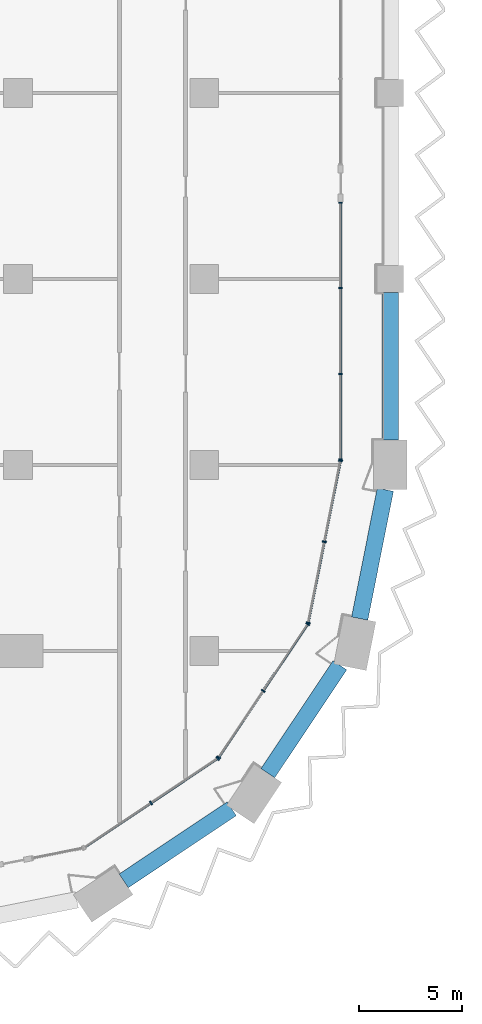
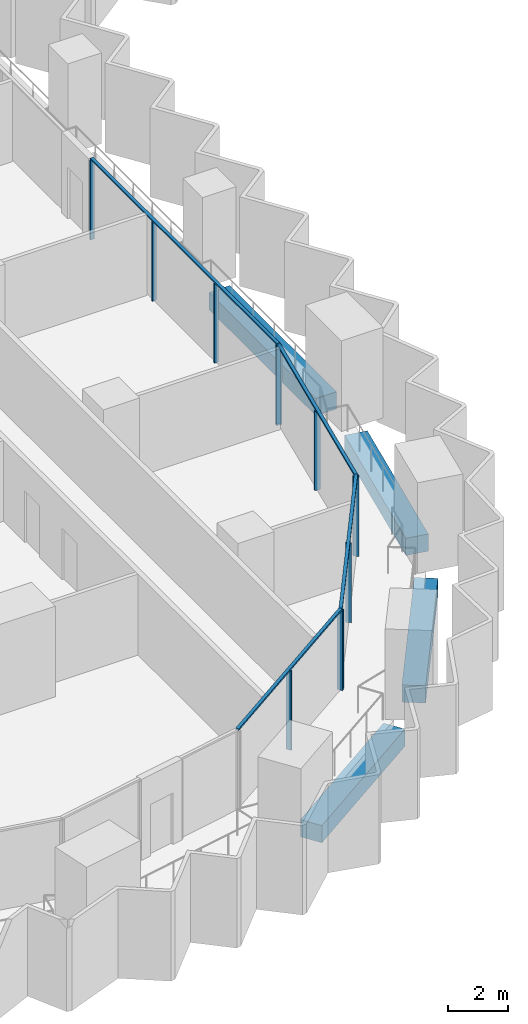
# One storey, part 3 of 28: 16 members, 4 beams, 4 elements without a shape of their own.
"""IFC4 building model written with IfcOpenShell, lengths in metres."""

from ifc_helpers import new_model, si_unit, direction, frame, origin, origin_2d, place, context, subcontext, project, spatial, rectangle, extrude, material, material_profile, profile_set, type_object, element, aggregate, save


model = new_model("IFC4")

# Units and contexts
model_context = context("Model", 3, precision=1e-05, world=origin(), true_north=direction((0.0, 1.0)))
body_context = subcontext(model_context, "Body", "Model", "MODEL_VIEW")
ifc_project = project(units=[si_unit("LENGTHUNIT", "METRE"), si_unit("AREAUNIT", "SQUARE_METRE"), si_unit("VOLUMEUNIT", "CUBIC_METRE"), si_unit("PLANEANGLEUNIT", "RADIAN"), si_unit("MASSUNIT", "GRAM", prefix="KILO")], contexts=[model_context])

# Site, building, storey
site_placement = place(None, origin())
site = spatial("IfcSite", under=ifc_project, at=site_placement, CompositionType="ELEMENT")
building_placement = place(site_placement, origin())
building = spatial("IfcBuilding", under=site, at=building_placement, Name="Hunhe Ridgeline Campus", CompositionType="ELEMENT")
storey_placement = place(building_placement, frame((0.0, 0.0, 43.199951171875)))
storey = spatial("IfcBuildingStorey", under=building, at=storey_placement, Name="L09", CompositionType="ELEMENT", Elevation=43.199951171875)

# Curtain wall, members
ifc_material_1 = material(Name="Aluminium 6063", Category="aluminium")
curtain_wall_type_1 = type_object("IfcCurtainWallType", Name="Curtain wall CW-1", PredefinedType="NOTDEFINED", material=ifc_material_1)
curtain_wall_1_placement = place(storey_placement, origin())
curtain_wall_1 = element("IfcCurtainWall", 1, at=curtain_wall_1_placement, inside=storey, type_object=curtain_wall_type_1, Name="Curtain wall 11", PredefinedType="NOTDEFINED")
ifc_material_profile_1 = material_profile(ifc_material_1, rectangle(XDim=0.159912109375, YDim=0.06005859375, at=origin_2d()))
ifc_profile_set_1 = profile_set([ifc_material_profile_1], Name="Aluminium 6063")
member_type_1 = type_object("IfcMemberType", Name="CW-1 aluminium mullion", PredefinedType="MULLION", material=ifc_profile_set_1)
member_1_placement = place(storey_placement, frame((42.59912109375, 27.266357421875, 0.0), z_axis=(0.0, 0.0, 1.0), x_axis=(-1.0, 1.60239e-07, 0.0)))
member_1 = element("IfcMember", 2, at=member_1_placement, type_object=member_type_1, Name="CW-1 mullion 1", PredefinedType="MULLION", context=body_context, shape_type="SweptSolid", body=[
    extrude(rectangle(XDim=0.159912109375, YDim=0.06005859375, at=origin_2d()), origin(), (0.0, 0.0, 1.0), 3.239990234375),
])
member_2_placement = place(storey_placement, frame((42.59912109375, 31.39697265625, 0.0), z_axis=(0.0, 0.0, 1.0), x_axis=(-1.0, 1.60239e-07, 0.0)))
member_2 = element("IfcMember", 3, at=member_2_placement, type_object=member_type_1, Name="CW-1 mullion 2", PredefinedType="MULLION", context=body_context, shape_type="SweptSolid", body=[
    extrude(rectangle(XDim=0.159912109375, YDim=0.06005859375, at=origin_2d()), origin(), (0.0, 0.0, 1.0), 3.239990234375),
])
member_3_placement = place(storey_placement, frame((42.59912109375, 35.5576171875, 0.0), z_axis=(0.0, 0.0, 1.0), x_axis=(-1.0, 1.60239e-07, 0.0)))
member_3 = element("IfcMember", 4, at=member_3_placement, type_object=member_type_1, Name="CW-1 mullion 3", PredefinedType="MULLION", context=body_context, shape_type="SweptSolid", body=[
    extrude(rectangle(XDim=0.159912109375, YDim=0.06005859375, at=origin_2d()), origin(), (0.0, 0.0, 1.0), 3.239990234375),
])
member_4_placement = place(storey_placement, frame((42.59912109375, 39.688232421875, 0.0), z_axis=(0.0, 0.0, 1.0), x_axis=(-1.0, 1.60239e-07, 0.0)))
member_4 = element("IfcMember", 5, at=member_4_placement, type_object=member_type_1, Name="CW-1 mullion 4", PredefinedType="MULLION", context=body_context, shape_type="SweptSolid", body=[
    extrude(rectangle(XDim=0.159912109375, YDim=0.06005859375, at=origin_2d()), origin(), (0.0, 0.0, 1.0), 3.239990234375),
])
ifc_material_profile_2 = material_profile(ifc_material_1, rectangle(XDim=0.1201171875, YDim=0.06005859375, at=origin_2d()))
ifc_profile_set_2 = profile_set([ifc_material_profile_2], Name="Aluminium 6063")
member_type_2 = type_object("IfcMemberType", Name="CW-1 aluminium transom", PredefinedType="USERDEFINED", material=ifc_profile_set_2)
member_5_placement = place(storey_placement, frame((42.59912109375, 27.236572265625, 3.27001953125), z_axis=(0.0, 1.0, 0.0), x_axis=(-1.0, 0.0, 0.0)))
member_5 = element("IfcMember", 6, at=member_5_placement, type_object=member_type_2, Name="CW-1 transom 1", ObjectType="TRANSOM", PredefinedType="USERDEFINED", context=body_context, shape_type="SweptSolid", body=[
    extrude(rectangle(XDim=0.1201171875, YDim=0.06005859375, at=origin_2d()), origin(), (0.0, 0.0, 1.0), 12.481689453125),
])
aggregate(curtain_wall_1, [member_5, member_1, member_2, member_3, member_4])

curtain_wall_type_2 = type_object("IfcCurtainWallType", Name="Curtain wall CW-5", PredefinedType="NOTDEFINED", material=ifc_material_1)
curtain_wall_2_placement = place(storey_placement, origin())
curtain_wall_2 = element("IfcCurtainWall", 7, at=curtain_wall_2_placement, inside=storey, type_object=curtain_wall_type_2, Name="Curtain wall 08", PredefinedType="NOTDEFINED")
ifc_material_profile_3 = material_profile(ifc_material_1, rectangle(XDim=0.199951171875, YDim=0.070068359375, at=origin_2d()))
ifc_profile_set_3 = profile_set([ifc_material_profile_3], Name="Aluminium 6063")
member_type_3 = type_object("IfcMemberType", Name="CW-5 aluminium mullion", PredefinedType="MULLION", material=ifc_profile_set_3)
member_6_placement = place(storey_placement, frame((33.42626953125, 10.647705078125, 0.0), z_axis=(0.0, 0.0, 1.0), x_axis=(-0.555570274596, 0.831469584522, 0.0)))
member_6 = element("IfcMember", 8, at=member_6_placement, type_object=member_type_3, Name="CW-5 mullion 2", PredefinedType="MULLION", context=body_context, shape_type="SweptSolid", body=[
    extrude(rectangle(XDim=0.199951171875, YDim=0.070068359375, at=origin_2d()), origin(), (0.0, 0.0, 1.0), 3.22998046875),
])
member_7_placement = place(storey_placement, frame((36.649658203125, 12.8017578125, 0.0), z_axis=(0.0, 0.0, 1.0), x_axis=(-0.555570274596, 0.831469584522, 0.0)))
member_7 = element("IfcMember", 9, at=member_7_placement, type_object=member_type_3, Name="CW-5 mullion 3", PredefinedType="MULLION", context=body_context, shape_type="SweptSolid", body=[
    extrude(rectangle(XDim=0.199951171875, YDim=0.070068359375, at=origin_2d()), origin(), (0.0, 0.0, 1.0), 3.22998046875),
])

curtain_wall_3_placement = place(storey_placement, origin())
curtain_wall_3 = element("IfcCurtainWall", 10, at=curtain_wall_3_placement, inside=storey, type_object=curtain_wall_type_2, Name="Curtain wall 09", PredefinedType="NOTDEFINED")
member_8_placement = place(storey_placement, frame((36.6982421875, 12.850341796875, 0.0), z_axis=(0.0, 0.0, 1.0), x_axis=(-0.831469584522, 0.555570274596, 0.0)))
member_8 = element("IfcMember", 11, at=member_8_placement, type_object=member_type_3, Name="CW-5 mullion 1", PredefinedType="MULLION", context=body_context, shape_type="SweptSolid", body=[
    extrude(rectangle(XDim=0.199951171875, YDim=0.070068359375, at=origin_2d()), origin(), (0.0, 0.0, 1.0), 3.22998046875),
])
member_9_placement = place(storey_placement, frame((38.852294921875, 16.07373046875, 0.0), z_axis=(0.0, 0.0, 1.0), x_axis=(-0.831469584522, 0.555570274596, 0.0)))
member_9 = element("IfcMember", 12, at=member_9_placement, type_object=member_type_3, Name="CW-5 mullion 2", PredefinedType="MULLION", context=body_context, shape_type="SweptSolid", body=[
    extrude(rectangle(XDim=0.199951171875, YDim=0.070068359375, at=origin_2d()), origin(), (0.0, 0.0, 1.0), 3.22998046875),
])
member_10_placement = place(storey_placement, frame((41.006103515625, 19.29736328125, 0.0), z_axis=(0.0, 0.0, 1.0), x_axis=(-0.831469584522, 0.555570274596, 0.0)))
member_10 = element("IfcMember", 13, at=member_10_placement, type_object=member_type_3, Name="CW-5 mullion 3", PredefinedType="MULLION", context=body_context, shape_type="SweptSolid", body=[
    extrude(rectangle(XDim=0.199951171875, YDim=0.070068359375, at=origin_2d()), origin(), (0.0, 0.0, 1.0), 3.22998046875),
])

curtain_wall_4_placement = place(storey_placement, origin())
curtain_wall_4 = element("IfcCurtainWall", 14, at=curtain_wall_4_placement, inside=storey, type_object=curtain_wall_type_2, Name="Curtain wall 10", PredefinedType="NOTDEFINED")
member_11_placement = place(storey_placement, frame((41.032470703125, 19.36083984375, 0.0), z_axis=(0.0, 0.0, 1.0), x_axis=(-0.980785284939, 0.195090299215, 0.0)))
member_11 = element("IfcMember", 15, at=member_11_placement, type_object=member_type_3, Name="CW-5 mullion 1", PredefinedType="MULLION", context=body_context, shape_type="SweptSolid", body=[
    extrude(rectangle(XDim=0.199951171875, YDim=0.070068359375, at=origin_2d()), origin(), (0.0, 0.0, 1.0), 3.22998046875),
])
member_12_placement = place(storey_placement, frame((41.812255859375, 23.281494140625, 0.0), z_axis=(0.0, 0.0, 1.0), x_axis=(-0.980785284939, 0.195090299215, 0.0)))
member_12 = element("IfcMember", 16, at=member_12_placement, type_object=member_type_3, Name="CW-5 mullion 2", PredefinedType="MULLION", context=body_context, shape_type="SweptSolid", body=[
    extrude(rectangle(XDim=0.199951171875, YDim=0.070068359375, at=origin_2d()), origin(), (0.0, 0.0, 1.0), 3.22998046875),
])
member_13_placement = place(storey_placement, frame((42.59228515625, 27.2021484375, 0.0), z_axis=(0.0, 0.0, 1.0), x_axis=(-0.980785284939, 0.195090299215, 0.0)))
member_13 = element("IfcMember", 17, at=member_13_placement, type_object=member_type_3, Name="CW-5 mullion 3", PredefinedType="MULLION", context=body_context, shape_type="SweptSolid", body=[
    extrude(rectangle(XDim=0.199951171875, YDim=0.070068359375, at=origin_2d()), origin(), (0.0, 0.0, 1.0), 3.22998046875),
])

# Member
ifc_material_profile_4 = material_profile(ifc_material_1, rectangle(XDim=0.1201171875, YDim=0.070068359375, at=origin_2d()))
ifc_profile_set_4 = profile_set([ifc_material_profile_4], Name="Aluminium 6063")
member_type_4 = type_object("IfcMemberType", Name="CW-5 aluminium transom", PredefinedType="USERDEFINED", material=ifc_profile_set_4)
member_14_placement = place(storey_placement, frame((30.173583984375, 8.474365234375, 3.26513671875), z_axis=(0.831473763475, 0.5555640203, 0.0), x_axis=(-0.5555640203, 0.831473763475, 0.0)))
member_14 = element("IfcMember", 18, at=member_14_placement, type_object=member_type_4, Name="CW-5 transom 1", ObjectType="TRANSOM", PredefinedType="USERDEFINED", context=body_context, shape_type="SweptSolid", body=[
    extrude(rectangle(XDim=0.1201171875, YDim=0.070068359375, at=origin_2d()), origin(), (0.0, 0.0, 1.0), 7.823974609375),
])

aggregate(curtain_wall_2, [member_14, member_6, member_7])

member_15_placement = place(storey_placement, frame((36.678955078125, 12.821044921875, 3.26513671875), z_axis=(0.5555640203, 0.831473763475, 0.0), x_axis=(-0.831473763475, 0.5555640203, 0.0)))
member_15 = element("IfcMember", 19, at=member_15_placement, type_object=member_type_4, Name="CW-5 transom 1", ObjectType="TRANSOM", PredefinedType="USERDEFINED", context=body_context, shape_type="SweptSolid", body=[
    extrude(rectangle(XDim=0.1201171875, YDim=0.070068359375, at=origin_2d()), origin(), (0.0, 0.0, 1.0), 7.823974609375),
])

aggregate(curtain_wall_3, [member_15, member_8, member_9, member_10])

member_16_placement = place(storey_placement, frame((41.025634765625, 19.326416015625, 3.26513671875), z_axis=(0.195097290093, 0.980783894341, 0.0), x_axis=(-0.980783894341, 0.195097290093, 0.0)))
member_16 = element("IfcMember", 20, at=member_16_placement, type_object=member_type_4, Name="CW-5 transom 1", ObjectType="TRANSOM", PredefinedType="USERDEFINED", context=body_context, shape_type="SweptSolid", body=[
    extrude(rectangle(XDim=0.1201171875, YDim=0.070068359375, at=origin_2d()), origin(), (0.0, 0.0, 1.0), 8.065185546875),
])

aggregate(curtain_wall_4, [member_16, member_11, member_12, member_13])

# Beams
ifc_material_2 = material(Name="Concrete C60", Category="concrete")
ifc_material_profile_5 = material_profile(ifc_material_2, rectangle(XDim=0.800048828125, YDim=0.699951171875, at=origin_2d()))
ifc_profile_set_5 = profile_set([ifc_material_profile_5], Name="Concrete C60")
beam_type = type_object("IfcBeamType", Name="RC spandrel beam 800x700 Concrete C60", PredefinedType="SPANDREL", material=ifc_profile_set_5)
for number, where, z_axis, x_axis, name in (
    (21, (32.108154296875, 6.87939453125, -0.599853515625), (0.831469696846, 0.555570106491, 0.0), (-0.555570106491, 0.831469696846, 0.0), "Spandrel beam B1-6 L09"),
    (22, (39.07666015625, 12.087890625, -0.599853515625), (0.555570106491, 0.831469696846, 0.0), (-0.831469696846, 0.555570106491, 0.0), "Spandrel beam B1-7 L09"),
):
    element("IfcBeam", number, at=place(storey_placement, frame(where, z_axis=z_axis, x_axis=x_axis)), inside=storey, type_object=beam_type, Name=name, PredefinedType="SPANDREL", context=body_context, shape_type="SweptSolid", body=[
        extrude(rectangle(XDim=0.800048828125, YDim=0.699951171875, at=origin_2d()), origin(), (0.0, 0.0, 1.0), 6.280029296875),
    ])
beam_1_placement = place(storey_placement, frame((43.521484375, 19.566650390625, -0.599853515625), z_axis=(0.195067021304, 0.980789914915, 0.0), x_axis=(-0.980789914915, 0.195067021304, 0.0)))
element("IfcBeam", 23, at=beam_1_placement, inside=storey, type_object=beam_type, Name="Spandrel beam B1-8 L09", PredefinedType="SPANDREL", context=body_context, shape_type="SweptSolid", body=[
    extrude(rectangle(XDim=0.800048828125, YDim=0.699951171875, at=origin_2d()), origin(), (0.0, 0.0, 1.0), 6.35546875),
])
beam_2_placement = place(storey_placement, frame((45.0, 28.199951171875, -0.599853515625), z_axis=(0.0, 1.0, 0.0), x_axis=(-1.0, 0.0, 0.0)))
element("IfcBeam", 24, at=beam_2_placement, inside=storey, type_object=beam_type, Name="Spandrel beam B1-9 L09", PredefinedType="SPANDREL", context=body_context, shape_type="SweptSolid", body=[
    extrude(rectangle(XDim=0.800048828125, YDim=0.699951171875, at=origin_2d()), origin(), (0.0, 0.0, 1.0), 7.150146484375),
])

save(model, "model.ifc")
